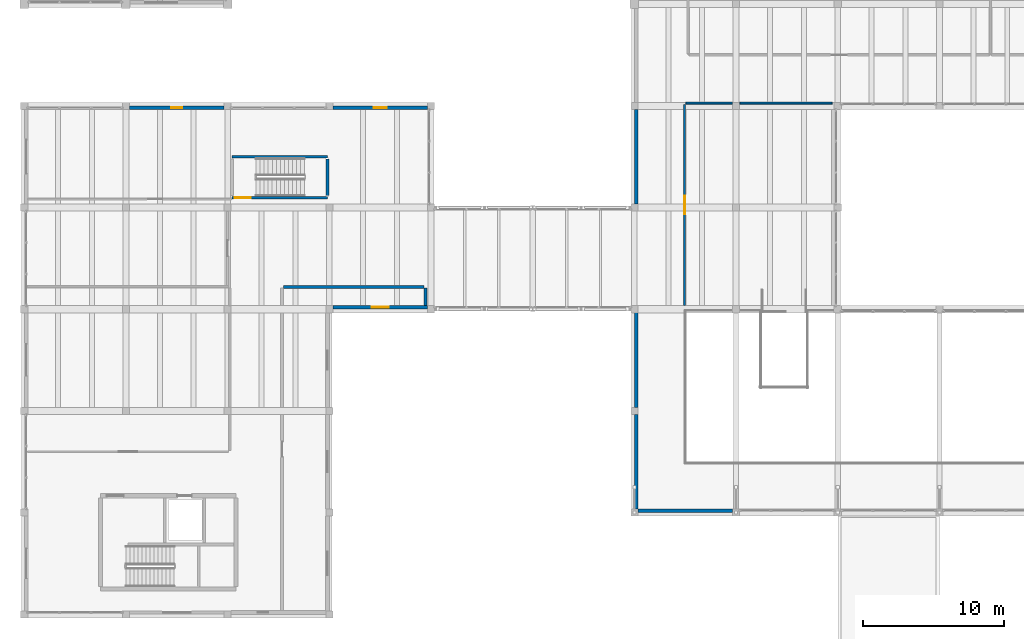
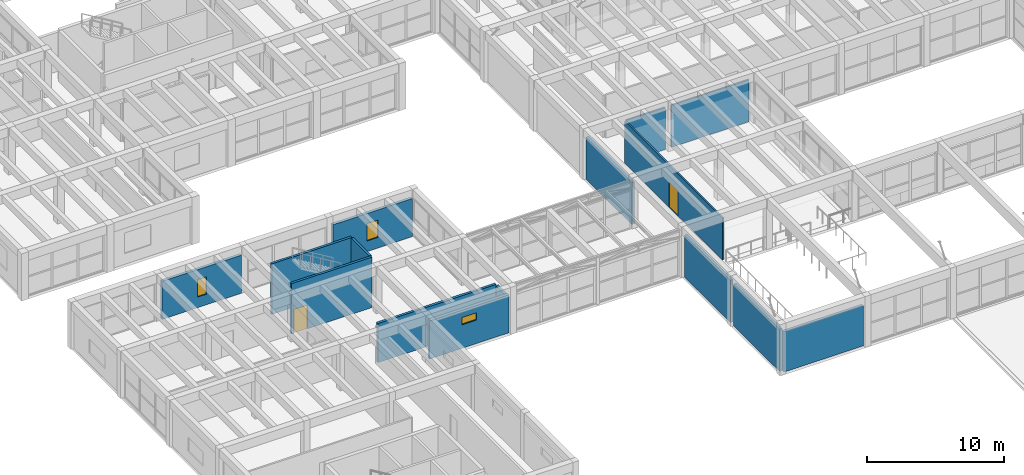
# One storey, part 135 of 153: 15 walls, 3 windows, 2 doors, 5 openings.
"""IFC4 building model written with IfcOpenShell, lengths in metres."""

from ifc_helpers import new_model, si_unit, direction, frame, frame_2d, origin, place, context, subcontext, project, spatial, rectangle, extrude, material, layer, layer_set, type_object, element, fill, save


model = new_model("IFC4")

# Units and contexts
model_context = context("Model", 3, precision=1e-05, world=origin(), true_north=direction((0.0, 1.0)))
body_context = subcontext(model_context, "Body", "Model", "MODEL_VIEW")
ifc_project = project(units=[si_unit("LENGTHUNIT", "METRE"), si_unit("AREAUNIT", "SQUARE_METRE"), si_unit("VOLUMEUNIT", "CUBIC_METRE"), si_unit("PLANEANGLEUNIT", "RADIAN"), si_unit("MASSUNIT", "GRAM", prefix="KILO")], contexts=[model_context])

# Site, building, storey
site_placement = place(None, origin())
site = spatial("IfcSite", under=ifc_project, at=site_placement, CompositionType="ELEMENT")
building_placement = place(site_placement, origin())
building = spatial("IfcBuilding", under=site, at=building_placement, Name="Bramvelor Terrace Health Centre", CompositionType="ELEMENT")
storey_placement = place(building_placement, frame((0.0, 0.0, 4.800048828125)))
storey = spatial("IfcBuildingStorey", under=building, at=storey_placement, Name="L02", CompositionType="ELEMENT", Elevation=4.800048828125)

# Wall, opening, door
ifc_material_1 = material(Name="Fire-rated gypsum and mineral wool", Category="gypsum")
ifc_layer_1 = layer(ifc_material_1, 0.139892578125)
ifc_layer_set_1 = layer_set([ifc_layer_1], Name="Fire-rated gypsum and mineral wool")
wall_type_1 = type_object("IfcWallType", Name="WL-COR-140", PredefinedType="PARTITIONING", material=ifc_layer_set_1)
wall_1_placement = place(storey_placement, frame((46.760009765625, 50.647705078125, 0.0), z_axis=(0.0, 0.0, 1.0), x_axis=(0.0, 1.0, 0.0)))
wall_1 = element("IfcWall", 1, at=wall_1_placement, inside=storey, type_object=wall_type_1, Name="L02 Interior Partition 160", PredefinedType="PARTITIONING", context=body_context, shape_type="SweptSolid", body=[
    extrude(rectangle(XDim=14.26025390625, YDim=0.139892578125, at=frame_2d((7.130126953125, 0.0))), origin(), (0.0, 0.0, 1.0), 3.75),
])
opening_1_placement = place(wall_1_placement, frame((6.47021484375, 0.0, 0.0)))
opening_1 = element("IfcOpeningElement", 2, at=opening_1_placement, cuts=wall_1, Name="Opening FD-05", PredefinedType="OPENING", context=body_context, shape_type="SweptSolid", body=[
    extrude(rectangle(XDim=1.320068359375, YDim=2.199951171875, at=frame_2d((0.66015625, 1.10009765625))), frame((0.0, 0.079833984375, 0.0), z_axis=(0.0, -1.0, 0.0), x_axis=(1.0, 0.0, 0.0)), (0.0, 0.0, 1.0), 0.159912109375),
])
ifc_material_2 = material(Name="Fire-rated steel and vision panel", Category="steel")
door_type_1 = type_object("IfcDoorType", Name="DR-FD60-132", OperationType="NOTDEFINED", PredefinedType="DOOR", material=ifc_material_2)
door_1_placement = place(opening_1_placement, origin())
door_1 = element("IfcDoor", 3, at=door_1_placement, inside=storey, type_object=door_type_1, Name="L02 Community Nutrition Teaching Studio Fire Door", OperationType="SINGLE_SWING_LEFT", OverallHeight=2.199951171875, OverallWidth=1.320068359375, PredefinedType="DOOR", context=body_context, shape_type="SweptSolid", body=[
    extrude(rectangle(XDim=1.320068359375, YDim=2.199951171875, at=frame_2d((0.66015625, 1.10009765625))), frame((0.0, 0.02490234375, 0.0), z_axis=(0.0, -1.0, 0.0), x_axis=(1.0, 0.0, 0.0)), (0.0, 0.0, 1.0), 0.050048828125),
])
fill(opening_1, door_1)

# Walls
wall_2_placement = place(storey_placement, frame((46.85009765625, 64.998046875, 0.0), z_axis=(0.0, 0.0, 1.0), x_axis=(1.0, 0.0, 0.0)))
element("IfcWall", 4, at=wall_2_placement, inside=storey, type_object=wall_type_1, Name="L02 Interior Partition 161", PredefinedType="PARTITIONING", context=body_context, shape_type="SweptSolid", body=[
    extrude(rectangle(XDim=3.284912109375, YDim=0.139892578125, at=frame_2d((1.642578125, 0.0))), origin(), (0.0, 0.0, 1.0), 3.75),
])
wall_3_placement = place(storey_placement, frame((50.6650390625, 64.998046875, 0.0), z_axis=(0.0, 0.0, 1.0), x_axis=(1.0, 0.0, 0.0)))
element("IfcWall", 5, at=wall_3_placement, inside=storey, type_object=wall_type_1, Name="L02 Interior Partition 162", PredefinedType="PARTITIONING", context=body_context, shape_type="SweptSolid", body=[
    extrude(rectangle(XDim=6.54443359375, YDim=0.139892578125, at=frame_2d((3.272216796875, 0.0))), origin(), (0.0, 0.0, 1.0), 3.75),
])

# Wall, opening, door
ifc_material_3 = material(Name="Concrete C40/50", Category="concrete")
ifc_layer_2 = layer(ifc_material_3, 0.199951171875)
ifc_layer_set_2 = layer_set([ifc_layer_2], Name="Concrete C40/50")
wall_type_2 = type_object("IfcWallType", Name="WL-CORE-200", PredefinedType="SHEAR", material=ifc_layer_set_2)
wall_4_placement = place(storey_placement, frame((14.699951171875, 58.300048828125, 0.0), z_axis=(0.0, 0.0, 1.0), x_axis=(1.0, 0.0, 0.0)))
wall_4 = element("IfcWall", 6, at=wall_4_placement, inside=storey, type_object=wall_type_2, Name="ST-6 L02 Stair Shaft Wall", PredefinedType="SHEAR", context=body_context, shape_type="SweptSolid", body=[
    extrude(rectangle(XDim=6.775146484375, YDim=0.199951171875, at=frame_2d((3.3876953125, 0.0))), origin(), (0.0, 0.0, 1.0), 4.5),
])
opening_2_placement = place(wall_4_placement, frame((0.219970703125, 0.0, 0.0)))
opening_2 = element("IfcOpeningElement", 7, at=opening_2_placement, cuts=wall_4, Name="Opening FD-06", PredefinedType="OPENING", context=body_context, shape_type="SweptSolid", body=[
    extrude(rectangle(XDim=1.1201171875, YDim=2.139892578125, at=frame_2d((0.56005859375, 1.06982421875))), frame((0.0, 0.10986328125, 0.0), z_axis=(0.0, -1.0, 0.0), x_axis=(1.0, 0.0, 0.0)), (0.0, 0.0, 1.0), 0.219970703125),
])
ifc_material_4 = material(Name="Fire-rated steel and vision panel", Category="steel")
door_type_2 = type_object("IfcDoorType", Name="DR-FD60-112", OperationType="NOTDEFINED", PredefinedType="DOOR", material=ifc_material_4)
door_2_placement = place(opening_2_placement, origin())
door_2 = element("IfcDoor", 8, at=door_2_placement, inside=storey, type_object=door_type_2, Name="ST-6 L02 Exit Stair Fire Door", OperationType="SINGLE_SWING_LEFT", OverallHeight=2.139892578125, OverallWidth=1.1201171875, PredefinedType="DOOR", context=body_context, shape_type="SweptSolid", body=[
    extrude(rectangle(XDim=1.1201171875, YDim=2.139892578125, at=frame_2d((0.56005859375, 1.06982421875))), frame((0.0, 0.02490234375, 0.0), z_axis=(0.0, -1.0, 0.0), x_axis=(1.0, 0.0, 0.0)), (0.0, 0.0, 1.0), 0.050048828125),
])
fill(opening_2, door_2)

# Walls
wall_5_placement = place(storey_placement, frame((14.699951171875, 61.199951171875, 0.0), z_axis=(0.0, 0.0, 1.0), x_axis=(1.0, 0.0, 0.0)))
element("IfcWall", 9, at=wall_5_placement, inside=storey, type_object=wall_type_2, Name="ST-6 L02 Stair Shaft Wall", PredefinedType="SHEAR", context=body_context, shape_type="SweptSolid", body=[
    extrude(rectangle(XDim=6.775146484375, YDim=0.199951171875, at=frame_2d((3.3876953125, 0.0))), origin(), (0.0, 0.0, 1.0), 4.5),
])
wall_6_placement = place(storey_placement, frame((21.47509765625, 58.449951171875, 0.0), z_axis=(0.0, 0.0, 1.0), x_axis=(0.0, 1.0, 0.0)))
element("IfcWall", 10, at=wall_6_placement, inside=storey, type_object=wall_type_2, Name="ST-6 L02 Stair Shaft Wall", PredefinedType="SHEAR", context=body_context, shape_type="SweptSolid", body=[
    extrude(rectangle(XDim=2.60009765625, YDim=0.199951171875, at=frame_2d((1.300048828125, 0.0))), origin(), (0.0, 0.0, 1.0), 4.5),
])

# Wall, opening, window
ifc_material_5 = material(Name="Concrete C40/50", Category="concrete")
ifc_layer_3 = layer(ifc_material_5, 0.260009765625)
ifc_layer_set_3 = layer_set([ifc_layer_3], Name="Concrete C40/50")
wall_type_3 = type_object("IfcWallType", Name="WL-EXT-RAD260", PredefinedType="SOLIDWALL", material=ifc_layer_set_3)
wall_7_placement = place(storey_placement, frame((28.554931640625, 50.530029296875, 0.0), z_axis=(0.0, 0.0, 1.0), x_axis=(-1.0, 0.0, 0.0)))
wall_7 = element("IfcWall", 11, at=wall_7_placement, inside=storey, type_object=wall_type_3, Name="L02 Exterior Facade Wall 94", PredefinedType="SOLIDWALL", context=body_context, shape_type="SweptSolid", body=[
    extrude(rectangle(XDim=6.7099609375, YDim=0.260009765625, at=frame_2d((3.35498046875, 0.0))), origin(), (0.0, 0.0, 1.0), 3.39990234375),
])
opening_3_placement = place(wall_7_placement, frame((2.7548828125, 0.0, 2.10009765625)))
opening_3 = element("IfcOpeningElement", 12, at=opening_3_placement, cuts=wall_7, Name="Opening WN-04", PredefinedType="OPENING", context=body_context, shape_type="SweptSolid", body=[
    extrude(rectangle(XDim=1.199951171875, YDim=0.64990234375, at=frame_2d((0.60009765625, 0.324951171875))), frame((0.0, 0.139892578125, 0.0), z_axis=(0.0, -1.0, 0.0), x_axis=(1.0, 0.0, 0.0)), (0.0, 0.0, 1.0), 0.280029296875),
])
ifc_material_6 = material(Name="Double low-E laminated glass", Category="glass")
window_type_1 = type_object("IfcWindowType", Name="WIN-EXT-04", PartitioningType="SINGLE_PANEL", PredefinedType="WINDOW", material=ifc_material_6)
window_1_placement = place(opening_3_placement, origin())
window_1 = element("IfcWindow", 13, at=window_1_placement, inside=storey, type_object=window_type_1, Name="L02 Scheduled Clinical Window 88", OverallHeight=0.64990234375, OverallWidth=1.199951171875, PartitioningType="SINGLE_PANEL", PredefinedType="WINDOW", context=body_context, shape_type="SweptSolid", body=[
    extrude(rectangle(XDim=1.199951171875, YDim=0.64990234375, at=frame_2d((0.60009765625, 0.324951171875))), frame((0.0, 0.030029296875, 0.0), z_axis=(0.0, -1.0, 0.0), x_axis=(1.0, 0.0, 0.0)), (0.0, 0.0, 1.0), 0.06005859375),
])
fill(opening_3, window_1)

# Walls
ifc_material_7 = material(Name="Precast concrete C40/50", Category="concrete")
ifc_layer_4 = layer(ifc_material_7, 0.239990234375)
ifc_layer_set_4 = layer_set([ifc_layer_4], Name="Precast concrete C40/50")
wall_type_4 = type_object("IfcWallType", Name="WL-EXT-RC240", PredefinedType="SOLIDWALL", material=ifc_layer_set_4)
wall_8_placement = place(storey_placement, frame((43.330078125, 57.844970703125, 0.0), z_axis=(0.0, 0.0, 1.0), x_axis=(0.0, 1.0, 0.0)))
element("IfcWall", 14, at=wall_8_placement, inside=storey, type_object=wall_type_4, Name="L02 Exterior Facade Wall 1", PredefinedType="SOLIDWALL", context=body_context, shape_type="SweptSolid", body=[
    extrude(rectangle(XDim=6.7099609375, YDim=0.239990234375, at=frame_2d((3.35498046875, 0.0))), origin(), (0.0, 0.0, 1.0), 3.75),
])
wall_9_placement = place(storey_placement, frame((50.155029296875, 36.1298828125, 0.0), z_axis=(0.0, 0.0, 1.0), x_axis=(-1.0, 0.0, 0.0)))
element("IfcWall", 15, at=wall_9_placement, inside=storey, type_object=wall_type_4, Name="L02 Exterior Facade Wall 89", PredefinedType="SOLIDWALL", context=body_context, shape_type="SweptSolid", body=[
    extrude(rectangle(XDim=6.7099609375, YDim=0.239990234375, at=frame_2d((3.35498046875, 0.0))), origin(), (0.0, 0.0, 1.0), 3.58984375),
])
for number, where, z_axis, x_axis, name in (
    (16, (43.330078125, 36.2451171875, 0.0), (0.0, 0.0, 1.0), (0.0, 1.0, 0.0), "L02 Exterior Facade Wall 90"),
    (17, (43.330078125, 43.445068359375, 0.0), (0.0, 0.0, 1.0), (0.0, 1.0, 0.0), "L02 Exterior Facade Wall 91"),
):
    element("IfcWall", number, at=place(storey_placement, frame(where, z_axis=z_axis, x_axis=x_axis)), inside=storey, type_object=wall_type_4, Name=name, PredefinedType="SOLIDWALL", context=body_context, shape_type="SweptSolid", body=[
        extrude(rectangle(XDim=6.7099609375, YDim=0.239990234375, at=frame_2d((3.35498046875, 0.0))), origin(), (0.0, 0.0, 1.0), 3.75),
    ])

# Wall, opening, window
wall_10_placement = place(storey_placement, frame((7.445068359375, 64.669921875, 0.0), z_axis=(0.0, 0.0, 1.0), x_axis=(1.0, 0.0, 0.0)))
wall_10 = element("IfcWall", 18, at=wall_10_placement, inside=storey, type_object=wall_type_4, Name="L02 Exterior Facade Wall 107", PredefinedType="SOLIDWALL", context=body_context, shape_type="SweptSolid", body=[
    extrude(rectangle(XDim=6.7099609375, YDim=0.239990234375, at=frame_2d((3.35498046875, 0.0))), origin(), (0.0, 0.0, 1.0), 3.39990234375),
])
opening_4_placement = place(wall_10_placement, frame((2.97998046875, 0.0, 0.949951171875)))
opening_4 = element("IfcOpeningElement", 19, at=opening_4_placement, cuts=wall_10, Name="Opening WN-37", PredefinedType="OPENING", context=body_context, shape_type="SweptSolid", body=[
    extrude(rectangle(XDim=0.75, YDim=1.550048828125, at=frame_2d((0.375, 0.77490234375))), frame((0.0, 0.1298828125, 0.0), z_axis=(0.0, -1.0, 0.0), x_axis=(1.0, 0.0, 0.0)), (0.0, 0.0, 1.0), 0.260009765625),
])
ifc_material_8 = material(Name="Double low-E laminated glass", Category="glass")
window_type_2 = type_object("IfcWindowType", Name="WIN-EXT-37", PartitioningType="SINGLE_PANEL", PredefinedType="WINDOW", material=ifc_material_8)
window_2_placement = place(opening_4_placement, origin())
window_2 = element("IfcWindow", 20, at=window_2_placement, inside=storey, type_object=window_type_2, Name="L02 Scheduled Clinical Window 97", OverallHeight=1.550048828125, OverallWidth=0.75, PartitioningType="SINGLE_PANEL", PredefinedType="WINDOW", context=body_context, shape_type="SweptSolid", body=[
    extrude(rectangle(XDim=0.75, YDim=1.550048828125, at=frame_2d((0.375, 0.77490234375))), frame((0.0, 0.030029296875, 0.0), z_axis=(0.0, -1.0, 0.0), x_axis=(1.0, 0.0, 0.0)), (0.0, 0.0, 1.0), 0.06005859375),
])
fill(opening_4, window_2)

wall_11_placement = place(storey_placement, frame((21.844970703125, 64.669921875, 0.0), z_axis=(0.0, 0.0, 1.0), x_axis=(1.0, 0.0, 0.0)))
wall_11 = element("IfcWall", 21, at=wall_11_placement, inside=storey, type_object=wall_type_4, Name="L02 Exterior Facade Wall 109", PredefinedType="SOLIDWALL", context=body_context, shape_type="SweptSolid", body=[
    extrude(rectangle(XDim=6.7099609375, YDim=0.239990234375, at=frame_2d((3.35498046875, 0.0))), origin(), (0.0, 0.0, 1.0), 3.39990234375),
])
opening_5_placement = place(wall_11_placement, frame((2.905029296875, 0.0, 0.949951171875)))
opening_5 = element("IfcOpeningElement", 22, at=opening_5_placement, cuts=wall_11, Name="Opening WN-38", PredefinedType="OPENING", context=body_context, shape_type="SweptSolid", body=[
    extrude(rectangle(XDim=0.89990234375, YDim=1.550048828125, at=frame_2d((0.449951171875, 0.77490234375))), frame((0.0, 0.1298828125, 0.0), z_axis=(0.0, -1.0, 0.0), x_axis=(1.0, 0.0, 0.0)), (0.0, 0.0, 1.0), 0.260009765625),
])
ifc_material_9 = material(Name="Double low-E laminated glass", Category="glass")
window_type_3 = type_object("IfcWindowType", Name="WIN-EXT-38", PartitioningType="SINGLE_PANEL", PredefinedType="WINDOW", material=ifc_material_9)
window_3_placement = place(opening_5_placement, origin())
window_3 = element("IfcWindow", 23, at=window_3_placement, inside=storey, type_object=window_type_3, Name="L02 Scheduled Clinical Window 98", OverallHeight=1.550048828125, OverallWidth=0.89990234375, PartitioningType="SINGLE_PANEL", PredefinedType="WINDOW", context=body_context, shape_type="SweptSolid", body=[
    extrude(rectangle(XDim=0.89990234375, YDim=1.550048828125, at=frame_2d((0.449951171875, 0.77490234375))), frame((0.0, 0.030029296875, 0.0), z_axis=(0.0, -1.0, 0.0), x_axis=(1.0, 0.0, 0.0)), (0.0, 0.0, 1.0), 0.06005859375),
])
fill(opening_5, window_3)

# Walls
ifc_material_10 = material(Name="Concrete C40/50", Category="concrete")
ifc_layer_5 = layer(ifc_material_10, 0.2099609375)
ifc_layer_set_5 = layer_set([ifc_layer_5], Name="Concrete C40/50")
wall_type_5 = type_object("IfcWallType", Name="WL-RAD-210", PredefinedType="SOLIDWALL", material=ifc_layer_set_5)
wall_12_placement = place(storey_placement, frame((18.342041015625, 51.989990234375, 0.0), z_axis=(0.0, 0.0, 1.0), x_axis=(1.0, 0.0, 0.0)))
element("IfcWall", 24, at=wall_12_placement, inside=storey, type_object=wall_type_5, Name="L02 Interior Partition 219", PredefinedType="SOLIDWALL", context=body_context, shape_type="SweptSolid", body=[
    extrude(rectangle(XDim=9.968017578125, YDim=0.2099609375, at=frame_2d((4.98388671875, 0.0))), origin(), (0.0, 0.0, 1.0), 3.5),
])
wall_13_placement = place(storey_placement, frame((28.39990234375, 51.89990234375, 0.0), z_axis=(0.0, 0.0, 1.0), x_axis=(0.0, -1.0, 0.0)))
element("IfcWall", 25, at=wall_13_placement, inside=storey, type_object=wall_type_5, Name="L02 Interior Partition 220", PredefinedType="SOLIDWALL", context=body_context, shape_type="SweptSolid", body=[
    extrude(rectangle(XDim=1.22998046875, YDim=0.2099609375, at=frame_2d((0.614990234375, 0.0))), origin(), (0.0, 0.0, 1.0), 3.39990234375),
])

save(model, "model.ifc")
